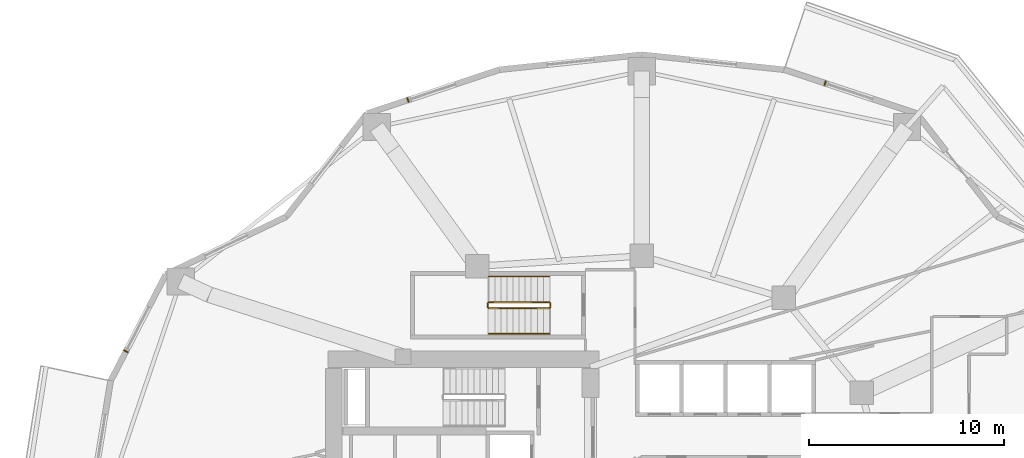
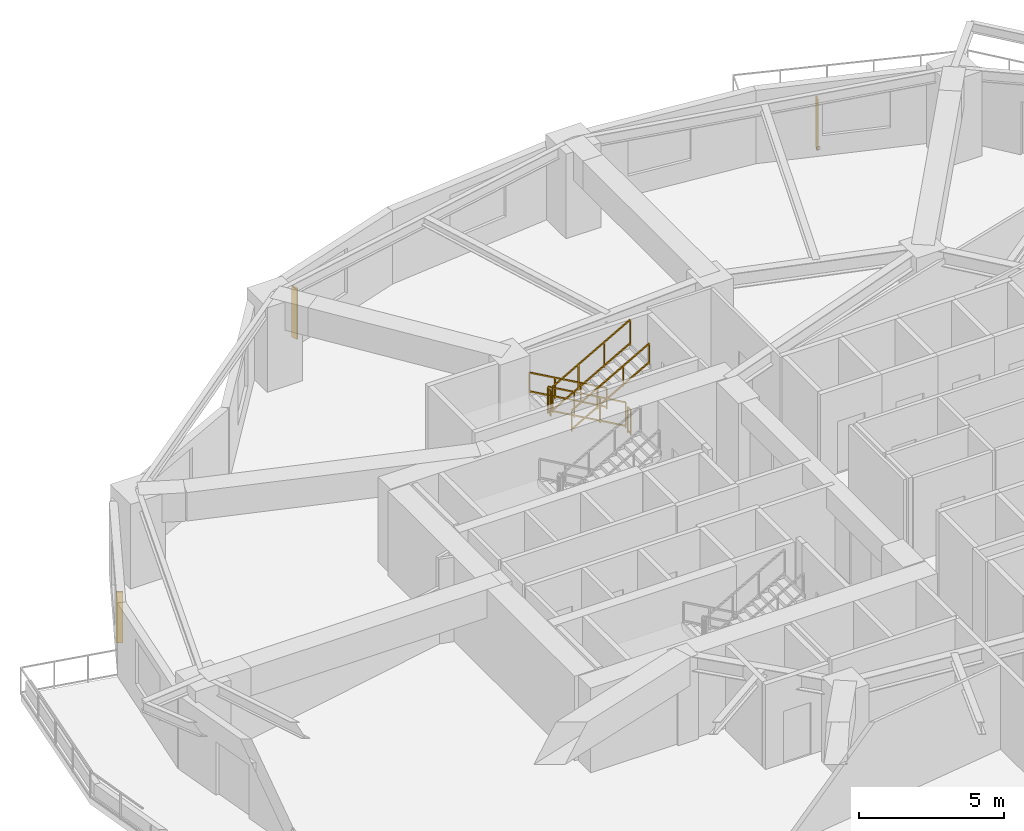
# One storey, part 12 of 13: 6 railings, 3 shading devices.
"""IFC4 building model written with IfcOpenShell, lengths in metres."""

from ifc_helpers import new_model, si_unit, direction, frame, origin, origin_2d, place, context, subcontext, project, spatial, rectangle, extrude, material, type_object, element, save


model = new_model("IFC4")

# Units and contexts
model_context = context("Model", 3, precision=1e-05, world=origin(), true_north=direction((0.0, 1.0)))
body_context = subcontext(model_context, "Body", "Model", "MODEL_VIEW")
ifc_project = project(units=[si_unit("LENGTHUNIT", "METRE"), si_unit("AREAUNIT", "SQUARE_METRE"), si_unit("VOLUMEUNIT", "CUBIC_METRE"), si_unit("PLANEANGLEUNIT", "RADIAN"), si_unit("MASSUNIT", "GRAM", prefix="KILO")], contexts=[model_context])

# Site, building, storey
site_placement = place(None, origin())
site = spatial("IfcSite", under=ifc_project, at=site_placement, CompositionType="ELEMENT")
building_placement = place(site_placement, origin())
building = spatial("IfcBuilding", under=site, at=building_placement, Name="Kolvaren Gate Tower and Convention Centre", CompositionType="ELEMENT")
storey_placement = place(building_placement, frame((0.0, 0.0, 49.60009765625)))
storey = spatial("IfcBuildingStorey", under=building, at=storey_placement, Name="L11", CompositionType="ELEMENT", Elevation=49.60009765625)

# Railings
ifc_material_1 = material(Name="Brushed Stainless Steel Grade 316L", Category="steel")
railing_type_1 = type_object("IfcRailingType", Name="ARCH-RL-GUARD-1150", PredefinedType="GUARDRAIL", material=ifc_material_1)
railing_1_placement = place(storey_placement, frame((25.39990234375, 36.830078125, 0.1748046875)))
element("IfcRailing", 1, at=railing_1_placement, inside=storey, type_object=railing_type_1, Name="L11 ST-T3 stair guard 1", PredefinedType="GUARDRAIL", context=body_context, shape_type="SweptSolid", body=[
    extrude(rectangle(XDim=0.048095703125, YDim=0.048095703125, at=origin_2d()), frame((0.0, 0.0, 1.076171875), z_axis=(-0.870814364268, 0.0, 0.491611984175), x_axis=(0.0, -1.0, 0.0)), (0.0, 0.0, 1.0), 3.559814453125),
    extrude(rectangle(XDim=0.048095703125, YDim=0.048095703125, at=origin_2d()), frame((0.0, 0.0, 0.083984375), z_axis=(-0.870814364268, 0.0, 0.491611984175), x_axis=(0.0, -1.0, 0.0)), (0.0, 0.0, 1.0), 3.559814453125),
    extrude(rectangle(XDim=0.0419921875, YDim=0.0419921875, at=origin_2d()), origin(), (0.0, 0.0, 1.0), 1.050048828125),
    extrude(rectangle(XDim=0.0419921875, YDim=0.0419921875, at=origin_2d()), frame((-3.099853515625, 0.0, 1.75)), (0.0, 0.0, 1.0), 1.050048828125),
    extrude(rectangle(XDim=0.0419921875, YDim=0.0419921875, at=origin_2d()), frame((-1.033203125, 0.0, 0.583251953125)), (0.0, 0.0, 1.0), 1.050048828125),
    extrude(rectangle(XDim=0.0419921875, YDim=0.0419921875, at=origin_2d()), frame((-2.066650390625, 0.0, 1.166748046875)), (0.0, 0.0, 1.0), 1.050048828125),
])
railing_2_placement = place(storey_placement, frame((22.25, 36.780029296875, 1.9248046875)))
element("IfcRailing", 2, at=railing_2_placement, inside=storey, type_object=railing_type_1, Name="L11 ST-T3 stair guard 2", PredefinedType="GUARDRAIL", context=body_context, shape_type="SweptSolid", body=[
    extrude(rectangle(XDim=0.048095703125, YDim=0.048095703125, at=origin_2d()), frame((0.0, 0.0, 1.076171875), z_axis=(0.0, -1.0, 0.0), x_axis=(1.0, 0.0, 0.0)), (0.0, 0.0, 1.0), 0.199951171875),
    extrude(rectangle(XDim=0.048095703125, YDim=0.048095703125, at=origin_2d()), frame((0.0, 0.0, 0.083984375), z_axis=(0.0, -1.0, 0.0), x_axis=(1.0, 0.0, 0.0)), (0.0, 0.0, 1.0), 0.199951171875),
    extrude(rectangle(XDim=0.0419921875, YDim=0.0419921875, at=origin_2d()), origin(), (0.0, 0.0, 1.0), 1.050048828125),
    extrude(rectangle(XDim=0.0419921875, YDim=0.0419921875, at=origin_2d()), frame((0.0, -0.199951171875, 0.0)), (0.0, 0.0, 1.0), 1.050048828125),
])
railing_3_placement = place(storey_placement, frame((22.300048828125, 36.530029296875, 2.099853515625)))
element("IfcRailing", 3, at=railing_3_placement, inside=storey, type_object=railing_type_1, Name="L11 ST-T3 stair guard 3", PredefinedType="GUARDRAIL", context=body_context, shape_type="SweptSolid", body=[
    extrude(rectangle(XDim=0.048095703125, YDim=0.048095703125, at=origin_2d()), frame((0.0, 0.0, 1.076171875), z_axis=(0.870814364268, 0.0, 0.491611984175), x_axis=(0.0, 1.0, 0.0)), (0.0, 0.0, 1.0), 3.559814453125),
    extrude(rectangle(XDim=0.048095703125, YDim=0.048095703125, at=origin_2d()), frame((0.0, 0.0, 0.083984375), z_axis=(0.870814364268, 0.0, 0.491611984175), x_axis=(0.0, 1.0, 0.0)), (0.0, 0.0, 1.0), 3.559814453125),
    extrude(rectangle(XDim=0.0419921875, YDim=0.0419921875, at=origin_2d()), origin(), (0.0, 0.0, 1.0), 1.050048828125),
    extrude(rectangle(XDim=0.0419921875, YDim=0.0419921875, at=origin_2d()), frame((3.099853515625, 0.0, 1.75)), (0.0, 0.0, 1.0), 1.050048828125),
    extrude(rectangle(XDim=0.0419921875, YDim=0.0419921875, at=origin_2d()), frame((1.033203125, 0.0, 0.583251953125)), (0.0, 0.0, 1.0), 1.050048828125),
    extrude(rectangle(XDim=0.0419921875, YDim=0.0419921875, at=origin_2d()), frame((2.066650390625, 0.0, 1.166748046875)), (0.0, 0.0, 1.0), 1.050048828125),
])
railing_4_placement = place(storey_placement, frame((25.449951171875, 36.780029296875, 0.0)))
element("IfcRailing", 4, at=railing_4_placement, inside=storey, type_object=railing_type_1, Name="L11 ST-T3 stair guard 4", PredefinedType="GUARDRAIL", context=body_context, shape_type="SweptSolid", body=[
    extrude(rectangle(XDim=0.048095703125, YDim=0.048095703125, at=origin_2d()), frame((0.0, 0.0, 1.076171875), z_axis=(0.0, -1.0, 0.0), x_axis=(1.0, 0.0, 0.0)), (0.0, 0.0, 1.0), 0.199951171875),
    extrude(rectangle(XDim=0.048095703125, YDim=0.048095703125, at=origin_2d()), frame((0.0, 0.0, 0.083984375), z_axis=(0.0, -1.0, 0.0), x_axis=(1.0, 0.0, 0.0)), (0.0, 0.0, 1.0), 0.199951171875),
    extrude(rectangle(XDim=0.0419921875, YDim=0.0419921875, at=origin_2d()), origin(), (0.0, 0.0, 1.0), 1.050048828125),
    extrude(rectangle(XDim=0.0419921875, YDim=0.0419921875, at=origin_2d()), frame((0.0, -0.199951171875, 0.0)), (0.0, 0.0, 1.0), 1.050048828125),
])
railing_type_2 = type_object("IfcRailingType", Name="ARCH-RL-HANDRAIL-920", PredefinedType="HANDRAIL", material=ifc_material_1)
railing_5_placement = place(storey_placement, frame((25.39990234375, 38.14990234375, 0.1748046875)))
element("IfcRailing", 5, at=railing_5_placement, inside=storey, type_object=railing_type_2, Name="L11 ST-T3 stair handrail 1", PredefinedType="HANDRAIL", context=body_context, shape_type="SweptSolid", body=[
    extrude(rectangle(XDim=0.048095703125, YDim=0.048095703125, at=origin_2d()), frame((0.0, 0.0, 0.8759765625), z_axis=(-0.870814364268, 0.0, 0.491611984175), x_axis=(0.0, -1.0, 0.0)), (0.0, 0.0, 1.0), 3.559814453125),
    extrude(rectangle(XDim=0.048095703125, YDim=0.048095703125, at=origin_2d()), frame((0.0, 0.0, 0.083984375), z_axis=(-0.870814364268, 0.0, 0.491611984175), x_axis=(0.0, -1.0, 0.0)), (0.0, 0.0, 1.0), 3.559814453125),
    extrude(rectangle(XDim=0.0419921875, YDim=0.0419921875, at=origin_2d()), origin(), (0.0, 0.0, 1.0), 0.849853515625),
    extrude(rectangle(XDim=0.0419921875, YDim=0.0419921875, at=origin_2d()), frame((-3.099853515625, 0.0, 1.75)), (0.0, 0.0, 1.0), 0.849853515625),
    extrude(rectangle(XDim=0.0419921875, YDim=0.0419921875, at=origin_2d()), frame((-1.033203125, 0.0, 0.583251953125)), (0.0, 0.0, 1.0), 0.849853515625),
    extrude(rectangle(XDim=0.0419921875, YDim=0.0419921875, at=origin_2d()), frame((-2.066650390625, 0.0, 1.166748046875)), (0.0, 0.0, 1.0), 0.849853515625),
])
railing_6_placement = place(storey_placement, frame((22.300048828125, 35.2099609375, 2.099853515625)))
element("IfcRailing", 6, at=railing_6_placement, inside=storey, type_object=railing_type_2, Name="L11 ST-T3 stair handrail 2", PredefinedType="HANDRAIL", context=body_context, shape_type="SweptSolid", body=[
    extrude(rectangle(XDim=0.048095703125, YDim=0.048095703125, at=origin_2d()), frame((0.0, 0.0, 0.8759765625), z_axis=(0.870814364268, 0.0, 0.491611984175), x_axis=(0.0, 1.0, 0.0)), (0.0, 0.0, 1.0), 3.559814453125),
    extrude(rectangle(XDim=0.048095703125, YDim=0.048095703125, at=origin_2d()), frame((0.0, 0.0, 0.083984375), z_axis=(0.870814364268, 0.0, 0.491611984175), x_axis=(0.0, 1.0, 0.0)), (0.0, 0.0, 1.0), 3.559814453125),
    extrude(rectangle(XDim=0.0419921875, YDim=0.0419921875, at=origin_2d()), origin(), (0.0, 0.0, 1.0), 0.849853515625),
    extrude(rectangle(XDim=0.0419921875, YDim=0.0419921875, at=origin_2d()), frame((3.099853515625, 0.0, 1.75)), (0.0, 0.0, 1.0), 0.849853515625),
    extrude(rectangle(XDim=0.0419921875, YDim=0.0419921875, at=origin_2d()), frame((1.033203125, 0.0, 0.583251953125)), (0.0, 0.0, 1.0), 0.849853515625),
    extrude(rectangle(XDim=0.0419921875, YDim=0.0419921875, at=origin_2d()), frame((2.066650390625, 0.0, 1.166748046875)), (0.0, 0.0, 1.0), 0.849853515625),
])

# Shading devices
ifc_material_2 = material(Name="Kiln-Fired Bogota Terracotta Ceramic Louvre Profile", Category="masonry")
shading_device_type = type_object("IfcShadingDeviceType", Name="ARCH-SHD-FIN-180", PredefinedType="JALOUSIE", material=ifc_material_2)
for number, where, z_axis, x_axis, name in (
    (7, (39.5048828125, 48.037109375, 0.219970703125), (0.0, 0.0, 1.0), (0.949242826568, -0.314544203905, 0.0), "Ceramic Vertical Brise-Soleil Fin FN-L11-04"),
    (8, (18.1630859375, 47.181640625, 0.219970703125), (0.0, 0.0, 1.0), (0.949242826568, 0.314544203905, 0.0), "Ceramic Vertical Brise-Soleil Fin FN-L11-07"),
    (9, (3.737548828125, 34.32861328125, 0.219970703125), (0.0, 0.0, 1.0), (0.459789110083, 0.888028138208, 0.0), "Ceramic Vertical Brise-Soleil Fin FN-L11-10"),
):
    element("IfcShadingDevice", number, at=place(storey_placement, frame(where, z_axis=z_axis, x_axis=x_axis)), inside=storey, type_object=shading_device_type, Name=name, PredefinedType="JALOUSIE", context=body_context, shape_type="SweptSolid", body=[
        extrude(rectangle(XDim=0.06005859375, YDim=0.239990234375, at=origin_2d()), origin(), (0.0, 0.0, 1.0), 2.14990234375),
    ])

save(model, "model.ifc")
